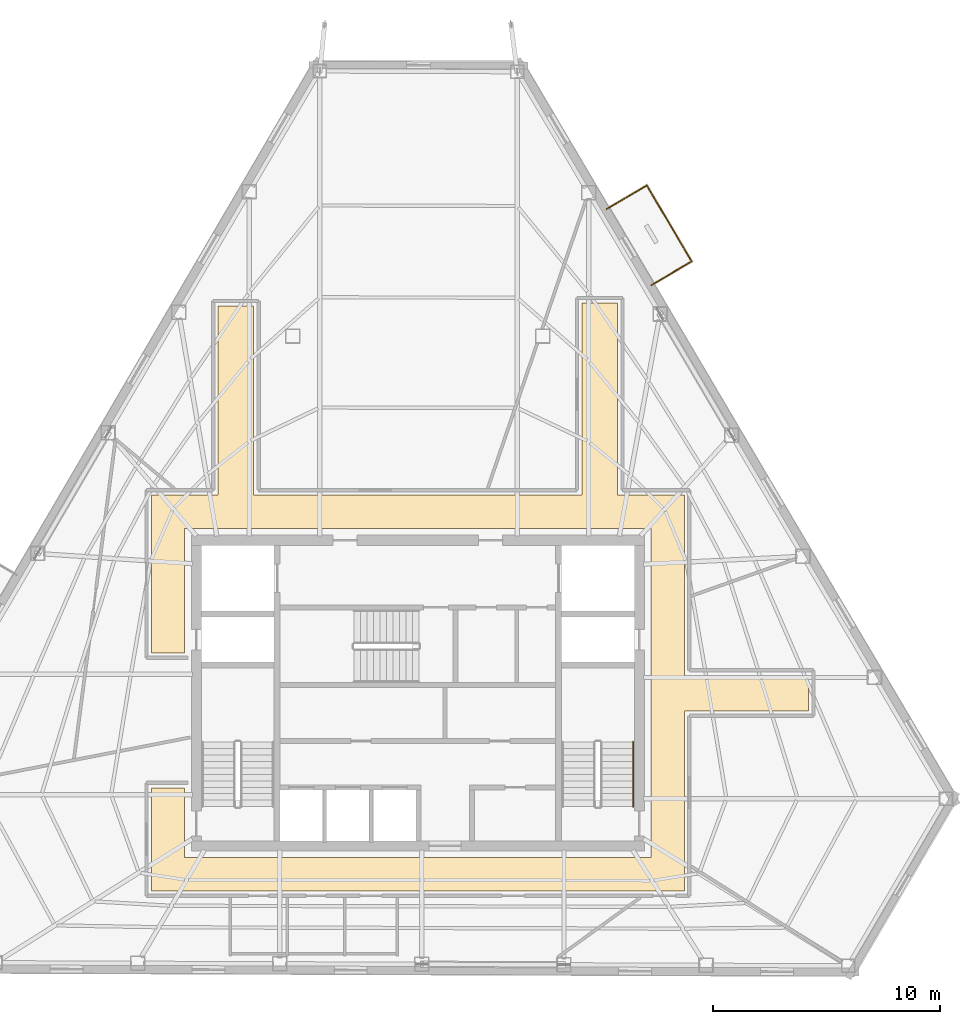
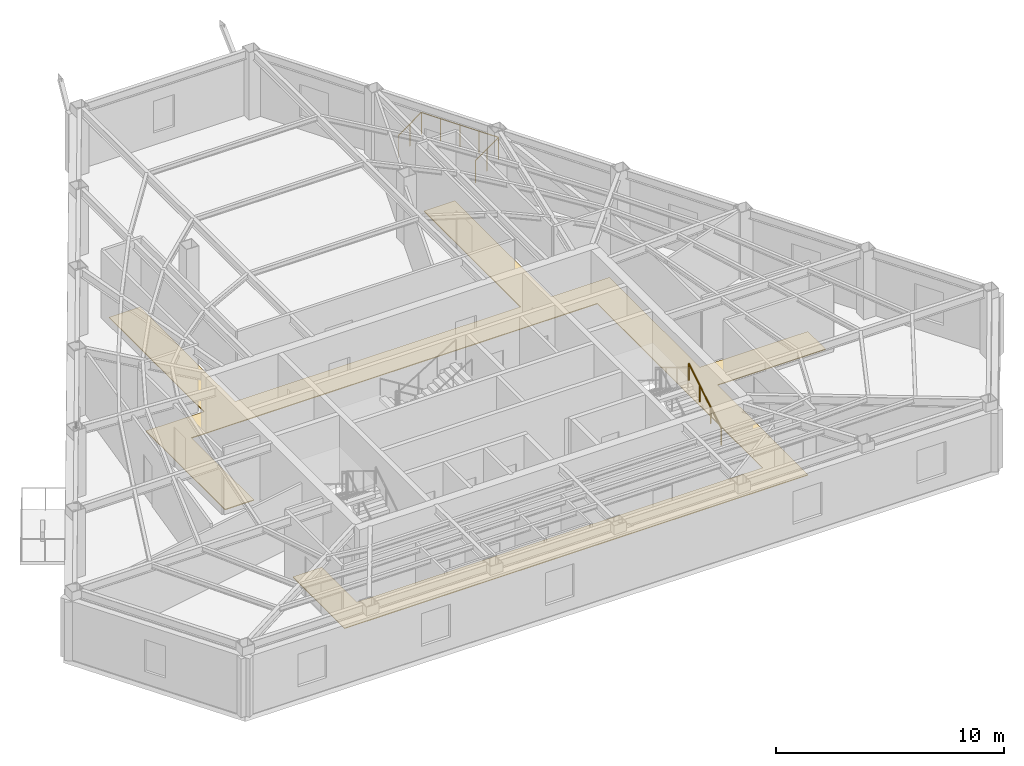
# One storey, part 10 of 10: 4 railings, 1 covering.
"""IFC4 building model written with IfcOpenShell, lengths in metres."""

from ifc_helpers import new_model, si_unit, direction, frame, origin, origin_2d, place, context, subcontext, project, spatial, polyline, circle, outline, extrude, material, layer, layer_set, type_object, element, save


model = new_model("IFC4")

# Units and contexts
model_context = context("Model", 3, precision=1e-05, world=origin(), true_north=direction((0.0, 1.0)))
body_context = subcontext(model_context, "Body", "Model", "MODEL_VIEW")
ifc_project = project(units=[si_unit("LENGTHUNIT", "METRE"), si_unit("AREAUNIT", "SQUARE_METRE"), si_unit("VOLUMEUNIT", "CUBIC_METRE"), si_unit("PLANEANGLEUNIT", "RADIAN"), si_unit("MASSUNIT", "GRAM", prefix="KILO")], contexts=[model_context])

# Site, building, storey
site_placement = place(None, origin())
site = spatial("IfcSite", under=ifc_project, at=site_placement, CompositionType="ELEMENT")
building_placement = place(site_placement, origin())
building = spatial("IfcBuilding", under=site, at=building_placement, Name="Kavelnor Concourse Tower", CompositionType="ELEMENT")
storey_placement = place(building_placement, frame((0.0, 0.0, 199.64990234375)))
storey = spatial("IfcBuildingStorey", under=building, at=storey_placement, Name="L50", CompositionType="ELEMENT", Elevation=199.64990234375)

# Covering
ifc_material_1 = material(Name="Honed bluestone and raised access floor finish", Category="masonry")
ifc_layer = layer(ifc_material_1, 0.0400390625, Name="Honed bluestone and raised access floor finish")
ifc_layer_set = layer_set([ifc_layer], Name="Honed bluestone and raised access floor finish")
covering_type = type_object("IfcCoveringType", Name="COV-FLOOR-STONE", PredefinedType="FLOORING", material=ifc_layer_set)
covering_placement = place(storey_placement, frame((0.0, 0.0, 0.002197265625)))
element("IfcCovering", 1, at=covering_placement, inside=storey, type_object=covering_type, Name="L50 Honed Bluestone Floor Finish", PredefinedType="FLOORING", context=body_context, shape_type="SweptSolid", body=[
    extrude(outline(polyline([(29.219970703125, 24.800048828125), (29.219970703125, 33.12158203125), (30.780029296875, 33.12158203125), (30.780029296875, 24.800048828125), (45.219970703125, 24.800048828125), (45.219970703125, 33.25830078125), (46.780029296875, 33.25830078125), (46.780029296875, 24.800048828125), (49.719970703125, 24.800048828125), (49.719970703125, 16.8798828125), (55.179931640625, 16.8798828125), (55.179931640625, 15.320068359375), (49.719970703125, 15.320068359375), (49.719970703125, 7.39990234375), (26.280029296875, 7.39990234375), (26.280029296875, 11.929931640625), (27.739990234375, 11.929931640625), (27.739990234375, 8.860107421875), (48.260009765625, 8.860107421875), (48.260009765625, 23.340087890625), (27.739990234375, 23.340087890625), (27.739990234375, 17.8701171875), (26.280029296875, 17.8701171875), (26.280029296875, 24.800048828125), (29.219970703125, 24.800048828125)])), origin(), (0.0, 0.0, 1.0), 0.039794921875),
])

# Railings
ifc_material_2 = material(Name="Steel Grade 350", Category="steel")
railing_type_1 = type_object("IfcRailingType", Name="RLG-HANDRAIL-900", PredefinedType="HANDRAIL", material=ifc_material_2)
railing_1_placement = place(storey_placement, frame((47.469970703125, 11.10009765625, 0.175048828125)))
element("IfcRailing", 2, at=railing_1_placement, inside=storey, type_object=railing_type_1, Name="L50 ST2 stair handrail 1", PredefinedType="HANDRAIL", context=body_context, shape_type="SweptSolid", body=[
    extrude(circle(Radius=0.02392578125, at=origin_2d()), frame((0.0, 0.0, 0.8759765625), z_axis=(0.0, 0.852159232446, 0.523282564737), x_axis=(-1.0, 0.0, 0.0)), (0.0, 0.0, 1.0), 3.34423828125),
    extrude(circle(Radius=0.02099609375, at=origin_2d()), origin(), (0.0, 0.0, 1.0), 0.851806640625),
    extrude(circle(Radius=0.02099609375, at=origin_2d()), frame((0.0, 0.949951171875, 0.583251953125)), (0.0, 0.0, 1.0), 0.851806640625),
    extrude(circle(Radius=0.02099609375, at=origin_2d()), frame((0.0, 1.89990234375, 1.166748046875)), (0.0, 0.0, 1.0), 0.851806640625),
    extrude(circle(Radius=0.02099609375, at=origin_2d()), frame((0.0, 2.849853515625, 1.75)), (0.0, 0.0, 1.0), 0.851806640625),
])
ifc_material_3 = material(Name="Architectural bronze-anodised aluminium", Category="aluminium")
railing_type_2 = type_object("IfcRailingType", Name="RLG-TERRACE-1200", PredefinedType="BALUSTRADE", material=ifc_material_3)
railing_2_placement = place(storey_placement, frame((48.276611328125, 34.044677734375, 0.0)))
element("IfcRailing", 3, at=railing_2_placement, inside=storey, type_object=railing_type_2, Name="L50 Tree Balcony 1 Guardrail L", PredefinedType="BALUSTRADE", context=body_context, shape_type="SweptSolid", body=[
    extrude(circle(Radius=0.02392578125, at=origin_2d()), frame((0.0, 0.0, 1.17578125), z_axis=(0.86131512276, 0.508071116385, 0.0), x_axis=(-0.508071116385, 0.86131512276, 0.0)), (0.0, 0.0, 1.0), 2.0498046875),
    extrude(circle(Radius=0.02099609375, at=origin_2d()), origin(), (0.0, 0.0, 1.0), 1.15185546875),
    extrude(circle(Radius=0.02099609375, at=origin_2d()), frame((0.8828125, 0.520751953125, 0.0)), (0.0, 0.0, 1.0), 1.15185546875),
    extrude(circle(Radius=0.02099609375, at=origin_2d()), frame((1.765625, 1.04150390625, 0.0)), (0.0, 0.0, 1.0), 1.15185546875),
])
railing_3_placement = place(storey_placement, frame((50.042236328125, 35.086181640625, 0.0)))
element("IfcRailing", 4, at=railing_3_placement, inside=storey, type_object=railing_type_2, Name="L50 Tree Balcony 1 Guardrail F", PredefinedType="BALUSTRADE", context=body_context, shape_type="SweptSolid", body=[
    extrude(circle(Radius=0.02392578125, at=origin_2d()), frame((0.0, 0.0, 1.17578125), z_axis=(-0.508059239271, 0.861322128702, 0.0), x_axis=(-0.861322128702, -0.508059239271, 0.0)), (0.0, 0.0, 1.0), 3.8798828125),
    extrude(circle(Radius=0.02099609375, at=origin_2d()), origin(), (0.0, 0.0, 1.0), 1.15185546875),
    extrude(circle(Radius=0.02099609375, at=origin_2d()), frame((-0.49267578125, 0.83544921875, 0.0)), (0.0, 0.0, 1.0), 1.15185546875),
    extrude(circle(Radius=0.02099609375, at=origin_2d()), frame((-0.985595703125, 1.6708984375, 0.0)), (0.0, 0.0, 1.0), 1.15185546875),
    extrude(circle(Radius=0.02099609375, at=origin_2d()), frame((-1.478515625, 2.50634765625, 0.0)), (0.0, 0.0, 1.0), 1.15185546875),
    extrude(circle(Radius=0.02099609375, at=origin_2d()), frame((-1.97119140625, 3.341796875, 0.0)), (0.0, 0.0, 1.0), 1.15185546875),
])
railing_4_placement = place(storey_placement, frame((48.071044921875, 38.427978515625, 0.0)))
element("IfcRailing", 5, at=railing_4_placement, inside=storey, type_object=railing_type_2, Name="L50 Tree Balcony 1 Guardrail R", PredefinedType="BALUSTRADE", context=body_context, shape_type="SweptSolid", body=[
    extrude(circle(Radius=0.02392578125, at=origin_2d()), frame((0.0, 0.0, 1.17578125), z_axis=(-0.86131512276, -0.508071116385, 0.0), x_axis=(0.508071116385, -0.86131512276, 0.0)), (0.0, 0.0, 1.0), 2.0498046875),
    extrude(circle(Radius=0.02099609375, at=origin_2d()), origin(), (0.0, 0.0, 1.0), 1.15185546875),
    extrude(circle(Radius=0.02099609375, at=origin_2d()), frame((-0.8828125, -0.520751953125, 0.0)), (0.0, 0.0, 1.0), 1.15185546875),
    extrude(circle(Radius=0.02099609375, at=origin_2d()), frame((-1.765625, -1.04150390625, 0.0)), (0.0, 0.0, 1.0), 1.15185546875),
])

save(model, "model.ifc")
